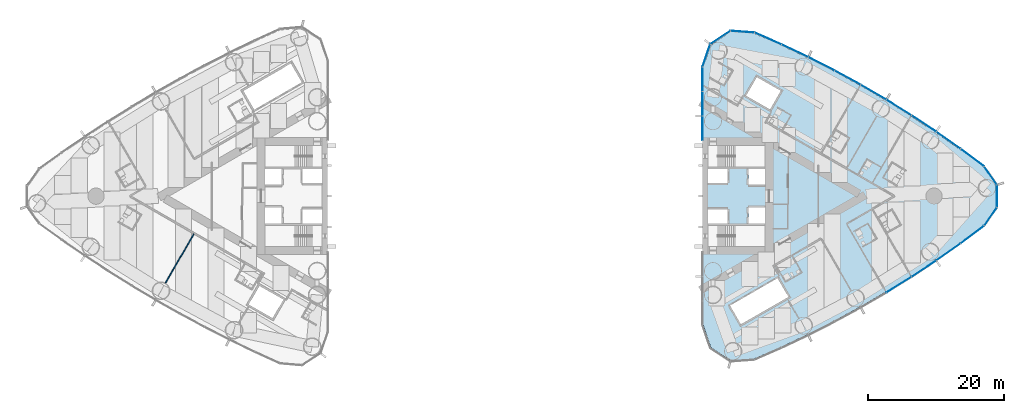
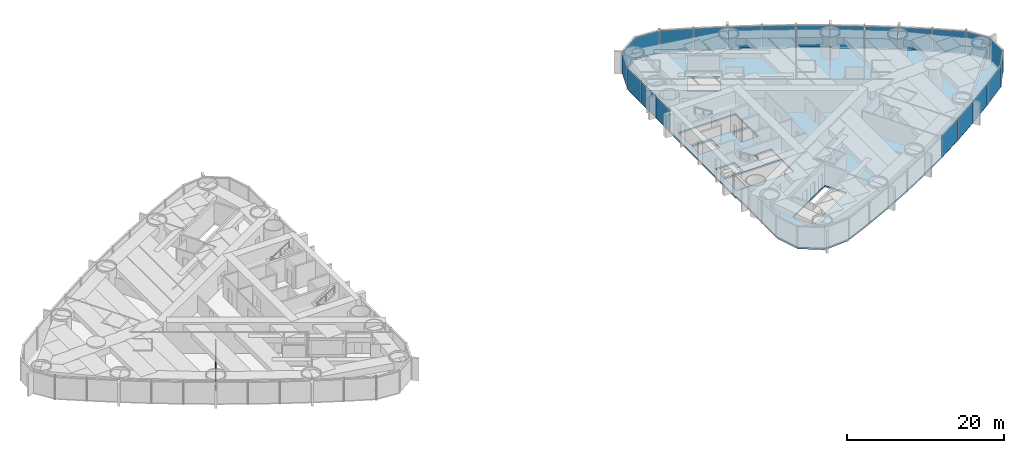
# One storey, part 10 of 18: 22 plates, 1 slab, 1 wall, 1 element without a shape of its own.
"""IFC4 building model written with IfcOpenShell, lengths in metres."""

from ifc_helpers import new_model, si_unit, direction, frame, frame_2d, origin, origin_2d, place, context, subcontext, project, spatial, polyline, rectangle, outline, extrude, material, layer, layer_set, type_object, element, aggregate, save


model = new_model("IFC4")

# Units and contexts
model_context = context("Model", 3, precision=1e-05, world=origin(), true_north=direction((0.0, 1.0)))
body_context = subcontext(model_context, "Body", "Model", "MODEL_VIEW")
ifc_project = project(units=[si_unit("LENGTHUNIT", "METRE"), si_unit("AREAUNIT", "SQUARE_METRE"), si_unit("VOLUMEUNIT", "CUBIC_METRE"), si_unit("PLANEANGLEUNIT", "RADIAN"), si_unit("MASSUNIT", "GRAM", prefix="KILO")], contexts=[model_context])

# Site, building, storey
site_placement = place(None, origin())
site = spatial("IfcSite", under=ifc_project, at=site_placement, CompositionType="ELEMENT")
building_placement = place(site_placement, origin())
building = spatial("IfcBuilding", under=site, at=building_placement, Name="Lancet Gate Hotel", CompositionType="ELEMENT")
storey_placement = place(building_placement, frame((0.0, 0.0, 101.10009765625)))
storey = spatial("IfcBuildingStorey", under=building, at=storey_placement, Name="L26", CompositionType="ELEMENT", Elevation=101.10009765625)

# Slab
ifc_material_1 = material(Name="Concrete C50/60", Category="concrete")
ifc_layer_1 = layer(ifc_material_1, 0.25)
ifc_layer_set_1 = layer_set([ifc_layer_1], Name="Floor slab 250")
slab_type = type_object("IfcSlabType", Name="Floor slab 250", PredefinedType="FLOOR", material=ifc_layer_set_1)
slab_placement = place(storey_placement, frame((0.0, 0.0, -0.25)))
element("IfcSlab", 1, at=slab_placement, inside=storey, type_object=slab_type, Name="T2 L26 floor slab", PredefinedType="FLOOR", context=body_context, shape_type="SweptSolid", body=[
    extrude(outline(polyline([(27.5, -8.60009765625), (27.6201171875, -8.60009765625), (27.6201171875, -18.923095703125), (28.7451171875, -22.22412109375), (31.63427734375, -24.1396484375), (35.112060546875, -23.890869140625), (39.0712890625, -22.150634765625), (42.996826171875, -20.29052734375), (46.867919921875, -18.31982421875), (50.681640625, -16.23974609375), (54.4345703125, -14.052490234375), (58.123779296875, -11.75927734375), (61.74658203125, -9.362548828125), (65.2998046875, -6.863525390625), (68.7666015625, -4.275390625), (70.627197265625, -1.6142578125), (70.627197265625, 1.6142578125), (68.7666015625, 4.275390625), (65.2998046875, 6.863525390625), (61.74658203125, 9.362548828125), (58.123779296875, 11.75927734375), (54.4345703125, 14.052490234375), (50.681640625, 16.23974609375), (46.867919921875, 18.31982421875), (42.996826171875, 20.29052734375), (39.0712890625, 22.150634765625), (35.112060546875, 23.890869140625), (31.63427734375, 24.1396484375), (28.7451171875, 22.22412109375), (27.6201171875, 18.923095703125), (27.6201171875, 8.60009765625), (27.5, 8.60009765625), (27.5, 8.199951171875), (27.5, -8.199951171875), (27.5, -8.60009765625)]), holes=[polyline([(36.699951171875, -7.39990234375), (36.699951171875, -4.300048828125), (28.300048828125, -4.300048828125), (28.300048828125, -7.39990234375), (36.699951171875, -7.39990234375)]), polyline([(28.300048828125, -4.0), (31.199951171875, -4.0), (31.199951171875, -1.89990234375), (28.300048828125, -1.89990234375), (28.300048828125, -4.0)]), polyline([(34.25, -4.0), (36.699951171875, -4.0), (36.699951171875, -1.64990234375), (34.25, -1.64990234375), (34.25, -4.0)]), polyline([(36.699951171875, 1.64990234375), (36.699951171875, 4.0), (34.25, 4.0), (34.25, 1.64990234375), (36.699951171875, 1.64990234375)]), polyline([(28.300048828125, 1.89990234375), (31.199951171875, 1.89990234375), (31.199951171875, 4.0), (28.300048828125, 4.0), (28.300048828125, 1.89990234375)]), polyline([(28.300048828125, 4.300048828125), (36.699951171875, 4.300048828125), (36.699951171875, 7.39990234375), (28.300048828125, 7.39990234375), (28.300048828125, 4.300048828125)]), polyline([(31.549072265625, -16.0810546875), (33.14892578125, -18.85205078125), (40.1640625, -14.802001953125), (38.56396484375, -12.031005859375), (31.549072265625, -16.0810546875)]), polyline([(33.887939453125, 14.73095703125), (37.43798828125, 12.680908203125), (39.0380859375, 15.451904296875), (35.488037109375, 17.501953125), (33.887939453125, 14.73095703125)])]), origin(), (0.0, 0.0, 1.0), 0.25),
])

# Curtain wall, plates
ifc_material_2 = material(Name="Aluminium curtain wall", Category="aluminium")
curtain_wall_type = type_object("IfcCurtainWallType", Name="Tower unitised curtain wall", PredefinedType="USERDEFINED", material=ifc_material_2)
curtain_wall_placement = place(storey_placement, origin())
curtain_wall = element("IfcCurtainWall", 2, at=curtain_wall_placement, inside=storey, type_object=curtain_wall_type, Name="T2 L26 curtain wall 1", ObjectType="UNITISED CURTAIN WALL", PredefinedType="USERDEFINED")
ifc_material_3 = material(Name="Glass double glazed unit 8-16-6", Category="glass")
ifc_layer_2 = layer(ifc_material_3, 0.030029296875)
ifc_layer_set_2 = layer_set([ifc_layer_2], Name="Vision panel double glazed")
plate_type = type_object("IfcPlateType", Name="Vision panel double glazed", PredefinedType="CURTAIN_PANEL", material=ifc_layer_set_2)
plate_1_placement = place(storey_placement, frame((56.342529296875, -13.0078125, -0.000244140625), z_axis=(0.0, 0.0, 1.0), x_axis=(0.849317759497, 0.527881940781, 0.0)))
plate_1 = element("IfcPlate", 3, at=plate_1_placement, type_object=plate_type, Name="T2 L26 curtain wall 1 panel 12", PredefinedType="CURTAIN_PANEL", context=body_context, shape_type="SweptSolid", body=[
    extrude(rectangle(XDim=4.2822265625, YDim=0.030029296875, at=origin_2d()), origin(), (0.0, 0.0, 1.0), 3.35009765625),
])
plate_2_placement = place(storey_placement, frame((60.00146484375, -10.660888671875, -0.000244140625), z_axis=(0.0, 0.0, 1.0), x_axis=(0.83398495346, 0.551787184885, 0.0)))
plate_2 = element("IfcPlate", 4, at=plate_2_placement, type_object=plate_type, Name="T2 L26 curtain wall 1 panel 13", PredefinedType="CURTAIN_PANEL", context=body_context, shape_type="SweptSolid", body=[
    extrude(rectangle(XDim=4.2822265625, YDim=0.030029296875, at=origin_2d()), origin(), (0.0, 0.0, 1.0), 3.35009765625),
])
plate_3_placement = place(storey_placement, frame((63.59228515625, -8.211181640625, -0.000244140625), z_axis=(0.0, 0.0, 1.0), x_axis=(0.817979492167, 0.57524738191, 0.0)))
plate_3 = element("IfcPlate", 5, at=plate_3_placement, type_object=plate_type, Name="T2 L26 curtain wall 1 panel 14", PredefinedType="CURTAIN_PANEL", context=body_context, shape_type="SweptSolid", body=[
    extrude(rectangle(XDim=4.2822265625, YDim=0.030029296875, at=origin_2d()), origin(), (0.0, 0.0, 1.0), 3.35009765625),
])
plate_4_placement = place(storey_placement, frame((67.112060546875, -5.660400390625, -0.000244140625), z_axis=(0.0, 0.0, 1.0), x_axis=(0.801314284905, 0.598243609917, 0.0)))
plate_4 = element("IfcPlate", 6, at=plate_4_placement, type_object=plate_type, Name="T2 L26 curtain wall 1 panel 15", PredefinedType="CURTAIN_PANEL", context=body_context, shape_type="SweptSolid", body=[
    extrude(rectangle(XDim=4.2822265625, YDim=0.030029296875, at=origin_2d()), origin(), (0.0, 0.0, 1.0), 3.35009765625),
])
plate_5_placement = place(storey_placement, frame((69.800537109375, -3.006103515625, -0.000244140625), z_axis=(0.0, 0.0, 1.0), x_axis=(0.573025075425, 0.819537834962, 0.0)))
plate_5 = element("IfcPlate", 7, at=plate_5_placement, type_object=plate_type, Name="T2 L26 curtain wall 1 panel 16", PredefinedType="CURTAIN_PANEL", context=body_context, shape_type="SweptSolid", body=[
    extrude(rectangle(XDim=3.2392578125, YDim=0.030029296875, at=origin_2d()), origin(), (0.0, 0.0, 1.0), 3.35009765625),
])
plate_6_placement = place(storey_placement, frame((70.747314453125, 0.0, -0.000244140625), z_axis=(0.0, 0.0, 1.0), x_axis=(0.0, 1.0, 0.0)))
plate_6 = element("IfcPlate", 8, at=plate_6_placement, type_object=plate_type, Name="T2 L26 curtain wall 1 panel 17", PredefinedType="CURTAIN_PANEL", context=body_context, shape_type="SweptSolid", body=[
    extrude(rectangle(XDim=3.2392578125, YDim=0.030029296875, at=origin_2d()), origin(), (0.0, 0.0, 1.0), 3.35009765625),
])
plate_7_placement = place(storey_placement, frame((69.800537109375, 3.006103515625, -0.000244140625), z_axis=(0.0, 0.0, 1.0), x_axis=(-0.573025075425, 0.819537834962, 0.0)))
plate_7 = element("IfcPlate", 9, at=plate_7_placement, type_object=plate_type, Name="T2 L26 curtain wall 1 panel 18", PredefinedType="CURTAIN_PANEL", context=body_context, shape_type="SweptSolid", body=[
    extrude(rectangle(XDim=3.2392578125, YDim=0.030029296875, at=origin_2d()), origin(), (0.0, 0.0, 1.0), 3.35009765625),
])
plate_8_placement = place(storey_placement, frame((67.112060546875, 5.660400390625, -0.000244140625), z_axis=(0.0, 0.0, 1.0), x_axis=(-0.801314284905, 0.598243609917, 0.0)))
plate_8 = element("IfcPlate", 10, at=plate_8_placement, type_object=plate_type, Name="T2 L26 curtain wall 1 panel 19", PredefinedType="CURTAIN_PANEL", context=body_context, shape_type="SweptSolid", body=[
    extrude(rectangle(XDim=4.2822265625, YDim=0.030029296875, at=origin_2d()), origin(), (0.0, 0.0, 1.0), 3.35009765625),
])
plate_9_placement = place(storey_placement, frame((63.59228515625, 8.211181640625, -0.000244140625), z_axis=(0.0, 0.0, 1.0), x_axis=(-0.817979492167, 0.57524738191, 0.0)))
plate_9 = element("IfcPlate", 11, at=plate_9_placement, type_object=plate_type, Name="T2 L26 curtain wall 1 panel 20", PredefinedType="CURTAIN_PANEL", context=body_context, shape_type="SweptSolid", body=[
    extrude(rectangle(XDim=4.2822265625, YDim=0.030029296875, at=origin_2d()), origin(), (0.0, 0.0, 1.0), 3.35009765625),
])
plate_10_placement = place(storey_placement, frame((60.00146484375, 10.660888671875, -0.000244140625), z_axis=(0.0, 0.0, 1.0), x_axis=(-0.83398495346, 0.551787184885, 0.0)))
plate_10 = element("IfcPlate", 12, at=plate_10_placement, type_object=plate_type, Name="T2 L26 curtain wall 1 panel 21", PredefinedType="CURTAIN_PANEL", context=body_context, shape_type="SweptSolid", body=[
    extrude(rectangle(XDim=4.2822265625, YDim=0.030029296875, at=origin_2d()), origin(), (0.0, 0.0, 1.0), 3.35009765625),
])
plate_11_placement = place(storey_placement, frame((56.342529296875, 13.0078125, -0.000244140625), z_axis=(0.0, 0.0, 1.0), x_axis=(-0.849317759497, 0.527881940781, 0.0)))
plate_11 = element("IfcPlate", 13, at=plate_11_placement, type_object=plate_type, Name="T2 L26 curtain wall 1 panel 22", PredefinedType="CURTAIN_PANEL", context=body_context, shape_type="SweptSolid", body=[
    extrude(rectangle(XDim=4.2822265625, YDim=0.030029296875, at=origin_2d()), origin(), (0.0, 0.0, 1.0), 3.35009765625),
])
plate_12_placement = place(storey_placement, frame((52.618408203125, 15.249755859375, -0.000244140625), z_axis=(0.0, 0.0, 1.0), x_axis=(-0.863965543499, 0.503550930538, 0.0)))
plate_12 = element("IfcPlate", 14, at=plate_12_placement, type_object=plate_type, Name="T2 L26 curtain wall 1 panel 23", PredefinedType="CURTAIN_PANEL", context=body_context, shape_type="SweptSolid", body=[
    extrude(rectangle(XDim=4.2822265625, YDim=0.030029296875, at=origin_2d()), origin(), (0.0, 0.0, 1.0), 3.35009765625),
])
plate_13_placement = place(storey_placement, frame((48.832275390625, 17.38525390625, -0.000244140625), z_axis=(0.0, 0.0, 1.0), x_axis=(-0.877916491224, 0.478813778454, 0.0)))
plate_13 = element("IfcPlate", 15, at=plate_13_placement, type_object=plate_type, Name="T2 L26 curtain wall 1 panel 24", PredefinedType="CURTAIN_PANEL", context=body_context, shape_type="SweptSolid", body=[
    extrude(rectangle(XDim=4.2822265625, YDim=0.030029296875, at=origin_2d()), origin(), (0.0, 0.0, 1.0), 3.35009765625),
])
plate_14_placement = place(storey_placement, frame((44.98681640625, 19.412109375, -0.000244140625), z_axis=(0.0, 0.0, 1.0), x_axis=(-0.891159350462, 0.453690436403, 0.0)))
plate_14 = element("IfcPlate", 16, at=plate_14_placement, type_object=plate_type, Name="T2 L26 curtain wall 1 panel 25", PredefinedType="CURTAIN_PANEL", context=body_context, shape_type="SweptSolid", body=[
    extrude(rectangle(XDim=4.2822265625, YDim=0.030029296875, at=origin_2d()), origin(), (0.0, 0.0, 1.0), 3.35009765625),
])
plate_15_placement = place(storey_placement, frame((41.08544921875, 21.3291015625, -0.000244140625), z_axis=(0.0, 0.0, 1.0), x_axis=(-0.903683440096, 0.428201167789, 0.0)))
plate_15 = element("IfcPlate", 17, at=plate_15_placement, type_object=plate_type, Name="T2 L26 curtain wall 1 panel 26", PredefinedType="CURTAIN_PANEL", context=body_context, shape_type="SweptSolid", body=[
    extrude(rectangle(XDim=4.2822265625, YDim=0.030029296875, at=origin_2d()), origin(), (0.0, 0.0, 1.0), 3.35009765625),
])
plate_16_placement = place(storey_placement, frame((37.13134765625, 23.13427734375, -0.000244140625), z_axis=(0.0, 0.0, 1.0), x_axis=(-0.915478658759, 0.40236653111, 0.0)))
plate_16 = element("IfcPlate", 18, at=plate_16_placement, type_object=plate_type, Name="T2 L26 curtain wall 1 panel 27", PredefinedType="CURTAIN_PANEL", context=body_context, shape_type="SweptSolid", body=[
    extrude(rectangle(XDim=4.2822265625, YDim=0.030029296875, at=origin_2d()), origin(), (0.0, 0.0, 1.0), 3.35009765625),
])
plate_17_placement = place(storey_placement, frame((33.37158203125, 24.1357421875, -0.000244140625), z_axis=(0.0, 0.0, 1.0), x_axis=(-0.997448492935, 0.07138980278, 0.0)))
plate_17 = element("IfcPlate", 19, at=plate_17_placement, type_object=plate_type, Name="T2 L26 curtain wall 1 panel 28", PredefinedType="CURTAIN_PANEL", context=body_context, shape_type="SweptSolid", body=[
    extrude(rectangle(XDim=3.4833984375, YDim=0.030029296875, at=origin_2d()), origin(), (0.0, 0.0, 1.0), 3.35009765625),
])
plate_18_placement = place(storey_placement, frame((30.123291015625, 23.281982421875, -0.000244140625), z_axis=(0.0, 0.0, 1.0), x_axis=(-0.833464516611, -0.552572981198, 0.0)))
plate_18 = element("IfcPlate", 20, at=plate_18_placement, type_object=plate_type, Name="T2 L26 curtain wall 1 panel 29", PredefinedType="CURTAIN_PANEL", context=body_context, shape_type="SweptSolid", body=[
    extrude(rectangle(XDim=3.4833984375, YDim=0.030029296875, at=origin_2d()), origin(), (0.0, 0.0, 1.0), 3.35009765625),
])
plate_19_placement = place(storey_placement, frame((28.072265625, 20.622314453125, -0.000244140625), z_axis=(0.0, 0.0, 1.0), x_axis=(-0.32257568891, -0.946543673015, 0.0)))
plate_19 = element("IfcPlate", 21, at=plate_19_placement, type_object=plate_type, Name="T2 L26 curtain wall 1 panel 30", PredefinedType="CURTAIN_PANEL", context=body_context, shape_type="SweptSolid", body=[
    extrude(rectangle(XDim=3.4833984375, YDim=0.030029296875, at=origin_2d()), origin(), (0.0, 0.0, 1.0), 3.35009765625),
])
plate_20_placement = place(storey_placement, frame((27.5, 17.15234375, -0.000244140625), z_axis=(0.0, 0.0, 1.0), x_axis=(0.0, -1.0, 0.0)))
plate_20 = element("IfcPlate", 22, at=plate_20_placement, type_object=plate_type, Name="T2 L26 curtain wall 1 panel 31", PredefinedType="CURTAIN_PANEL", context=body_context, shape_type="SweptSolid", body=[
    extrude(rectangle(XDim=3.515869140625, YDim=0.030029296875, at=origin_2d()), origin(), (0.0, 0.0, 1.0), 3.35009765625),
])
plate_21_placement = place(storey_placement, frame((27.5, 13.571533203125, -0.000244140625), z_axis=(0.0, 0.0, 1.0), x_axis=(0.0, -1.0, 0.0)))
plate_21 = element("IfcPlate", 23, at=plate_21_placement, type_object=plate_type, Name="T2 L26 curtain wall 1 panel 32", PredefinedType="CURTAIN_PANEL", context=body_context, shape_type="SweptSolid", body=[
    extrude(rectangle(XDim=3.515869140625, YDim=0.030029296875, at=origin_2d()), origin(), (0.0, 0.0, 1.0), 3.35009765625),
])
plate_22_placement = place(storey_placement, frame((27.5, 9.990478515625, -0.000244140625), z_axis=(0.0, 0.0, 1.0), x_axis=(0.0, -1.0, 0.0)))
plate_22 = element("IfcPlate", 24, at=plate_22_placement, type_object=plate_type, Name="T2 L26 curtain wall 1 panel 33", PredefinedType="CURTAIN_PANEL", context=body_context, shape_type="SweptSolid", body=[
    extrude(rectangle(XDim=3.515869140625, YDim=0.030029296875, at=origin_2d()), origin(), (0.0, 0.0, 1.0), 3.35009765625),
])
aggregate(curtain_wall, [plate_1, plate_2, plate_3, plate_4, plate_5, plate_6, plate_7, plate_8, plate_9, plate_10, plate_11, plate_12, plate_13, plate_14, plate_15, plate_16, plate_17, plate_18, plate_19, plate_20, plate_21, plate_22])

# Wall
ifc_material_4 = material(Name="Gypsum board partition")
ifc_layer_3 = layer(ifc_material_4, 0.14990234375)
ifc_layer_set_3 = layer_set([ifc_layer_3], Name="Party wall 150")
wall_type = type_object("IfcWallType", Name="Party wall 150", PredefinedType="PARTITIONING", material=ifc_layer_set_3)
wall_placement = place(storey_placement, frame((-47.151123046875, -5.552490234375, 0.0), z_axis=(0.0, 0.0, 1.0), x_axis=(-0.500003012045, -0.866023664773, 0.0)))
element("IfcWall", 25, at=wall_placement, inside=storey, type_object=wall_type, Name="T1 party wall 150 L26", PredefinedType="PARTITIONING", context=body_context, shape_type="SweptSolid", body=[
    extrude(rectangle(XDim=8.31103515625, YDim=0.14990234375, at=frame_2d((4.155517578125, 0.0))), origin(), (0.0, 0.0, 1.0), 2.199951171875),
])

save(model, "model.ifc")
